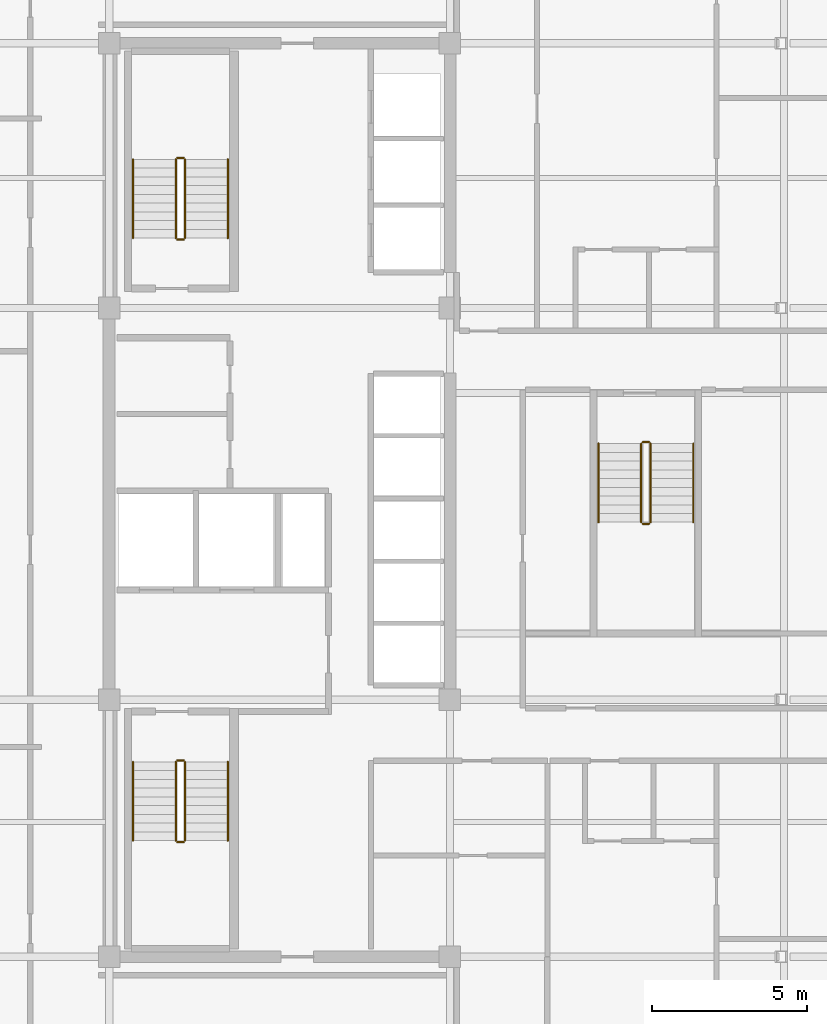
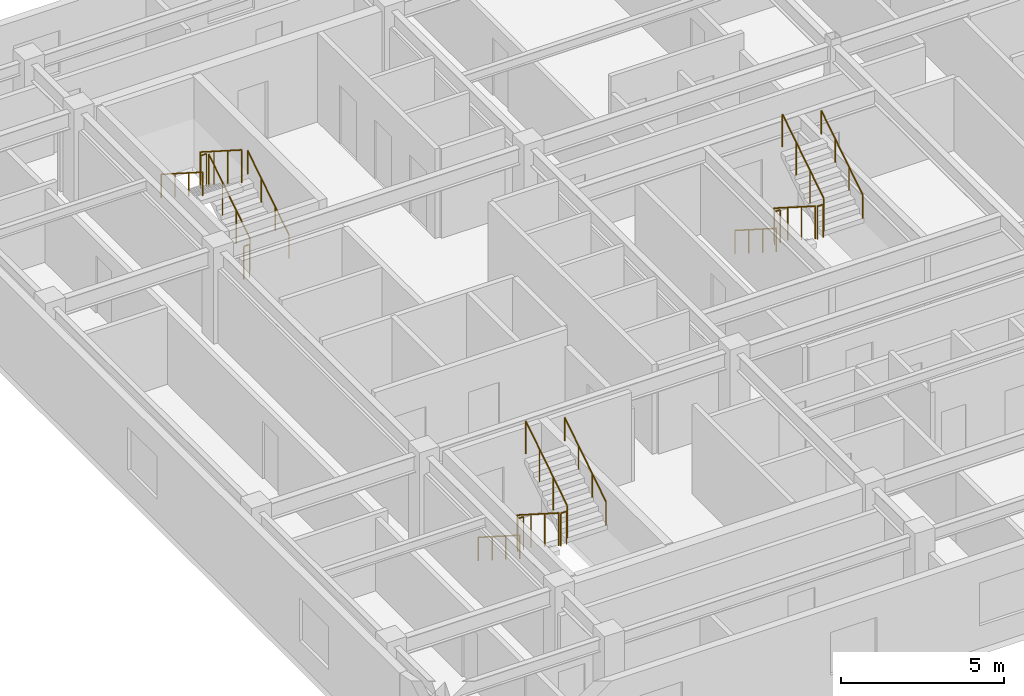
# One storey, part 9 of 9: 18 railings.
"""IFC4 building model written with IfcOpenShell, lengths in metres."""

from ifc_helpers import new_model, si_unit, direction, frame, origin, origin_2d, place, context, subcontext, project, spatial, circle, extrude, material, type_object, element, save


model = new_model("IFC4")

# Units and contexts
model_context = context("Model", 3, precision=1e-05, world=origin(), true_north=direction((0.0, 1.0)))
body_context = subcontext(model_context, "Body", "Model", "MODEL_VIEW")
ifc_project = project(units=[si_unit("LENGTHUNIT", "METRE"), si_unit("AREAUNIT", "SQUARE_METRE"), si_unit("VOLUMEUNIT", "CUBIC_METRE"), si_unit("PLANEANGLEUNIT", "RADIAN"), si_unit("MASSUNIT", "GRAM", prefix="KILO")], contexts=[model_context])

# Site, building, storey
site_placement = place(None, origin())
site = spatial("IfcSite", under=ifc_project, at=site_placement, CompositionType="ELEMENT")
building_placement = place(site_placement, origin())
building = spatial("IfcBuilding", under=site, at=building_placement, Name="Ochreholt Gables", CompositionType="ELEMENT")
storey_placement = place(building_placement, frame((0.0, 0.0, 169.800048828125)))
storey = spatial("IfcBuildingStorey", under=building, at=storey_placement, Name="L44", CompositionType="ELEMENT", Elevation=169.800048828125)

# Railings
ifc_material_1 = material(Name="Painted Steel Stair Guardrail", Category="steel")
railing_type_1 = type_object("IfcRailingType", Name="RL-ST-GUARD", PredefinedType="GUARDRAIL", material=ifc_material_1)
railing_1_placement = place(storey_placement, frame((26.35009765625, 15.5400390625, 0.179931640625)))
element("IfcRailing", 1, at=railing_1_placement, inside=storey, type_object=railing_type_1, Name="L44 ST-1 stair guard 1", PredefinedType="GUARDRAIL", context=body_context, shape_type="SweptSolid", body=[
    extrude(circle(Radius=0.02392578125, at=origin_2d()), frame((0.0, 0.0, 1.22607421875), z_axis=(0.0, -0.842912820907, 0.538050161556), x_axis=(1.0, 0.0, 0.0)), (0.0, 0.0, 1.0), 3.010986328125),
    extrude(circle(Radius=0.02099609375, at=origin_2d()), origin(), (0.0, 0.0, 1.0), 1.201904296875),
    extrude(circle(Radius=0.02099609375, at=origin_2d()), frame((0.0, -0.845947265625, 0.5400390625)), (0.0, 0.0, 1.0), 1.201904296875),
    extrude(circle(Radius=0.02099609375, at=origin_2d()), frame((0.0, -1.692138671875, 1.080078125)), (0.0, 0.0, 1.0), 1.201904296875),
    extrude(circle(Radius=0.02099609375, at=origin_2d()), frame((0.0, -2.5380859375, 1.6201171875)), (0.0, 0.0, 1.0), 1.201904296875),
])
railing_2_placement = place(storey_placement, frame((26.39990234375, 12.951904296875, 1.800048828125)))
element("IfcRailing", 2, at=railing_2_placement, inside=storey, type_object=railing_type_1, Name="L44 ST-1 stair guard 2", PredefinedType="GUARDRAIL", context=body_context, shape_type="SweptSolid", body=[
    extrude(circle(Radius=0.02392578125, at=origin_2d()), frame((0.0, 0.0, 1.22607421875), z_axis=(1.0, 0.0, 0.0), x_axis=(0.0, 1.0, 0.0)), (0.0, 0.0, 1.0), 0.2001953125),
    extrude(circle(Radius=0.02099609375, at=origin_2d()), origin(), (0.0, 0.0, 1.0), 1.201904296875),
    extrude(circle(Radius=0.02099609375, at=origin_2d()), frame((0.2001953125, 0.0, 0.0)), (0.0, 0.0, 1.0), 1.201904296875),
])
railing_3_placement = place(storey_placement, frame((26.64990234375, 13.001953125, 1.97998046875)))
element("IfcRailing", 3, at=railing_3_placement, inside=storey, type_object=railing_type_1, Name="L44 ST-1 stair guard 3", PredefinedType="GUARDRAIL", context=body_context, shape_type="SweptSolid", body=[
    extrude(circle(Radius=0.02392578125, at=origin_2d()), frame((0.0, 0.0, 1.22607421875), z_axis=(0.0, 0.842949592929, 0.537992549931), x_axis=(-1.0, 0.0, 0.0)), (0.0, 0.0, 1.0), 3.010986328125),
    extrude(circle(Radius=0.02099609375, at=origin_2d()), origin(), (0.0, 0.0, 1.0), 1.201904296875),
    extrude(circle(Radius=0.02099609375, at=origin_2d()), frame((0.0, 0.845947265625, 0.5400390625)), (0.0, 0.0, 1.0), 1.201904296875),
    extrude(circle(Radius=0.02099609375, at=origin_2d()), frame((0.0, 1.692138671875, 1.079833984375)), (0.0, 0.0, 1.0), 1.201904296875),
    extrude(circle(Radius=0.02099609375, at=origin_2d()), frame((0.0, 2.5380859375, 1.619873046875)), (0.0, 0.0, 1.0), 1.201904296875),
])
railing_4_placement = place(storey_placement, frame((26.39990234375, 15.590087890625, 0.0)))
element("IfcRailing", 4, at=railing_4_placement, inside=storey, type_object=railing_type_1, Name="L44 ST-1 stair guard 4", PredefinedType="GUARDRAIL", context=body_context, shape_type="SweptSolid", body=[
    extrude(circle(Radius=0.02392578125, at=origin_2d()), frame((0.0, 0.0, 1.22607421875), z_axis=(1.0, 0.0, 0.0), x_axis=(0.0, 1.0, 0.0)), (0.0, 0.0, 1.0), 0.2001953125),
    extrude(circle(Radius=0.02099609375, at=origin_2d()), origin(), (0.0, 0.0, 1.0), 1.201904296875),
    extrude(circle(Radius=0.02099609375, at=origin_2d()), frame((0.2001953125, 0.0, 0.0)), (0.0, 0.0, 1.0), 1.201904296875),
])
railing_5_placement = place(storey_placement, frame((26.64990234375, 32.4599609375, 0.179931640625)))
element("IfcRailing", 5, at=railing_5_placement, inside=storey, type_object=railing_type_1, Name="L44 ST-2 stair guard 1", PredefinedType="GUARDRAIL", context=body_context, shape_type="SweptSolid", body=[
    extrude(circle(Radius=0.02392578125, at=origin_2d()), frame((0.0, 0.0, 1.22607421875), z_axis=(0.0, 0.842912820907, 0.538050161556), x_axis=(-1.0, 0.0, 0.0)), (0.0, 0.0, 1.0), 3.010986328125),
    extrude(circle(Radius=0.02099609375, at=origin_2d()), origin(), (0.0, 0.0, 1.0), 1.201904296875),
    extrude(circle(Radius=0.02099609375, at=origin_2d()), frame((0.0, 0.845947265625, 0.5400390625)), (0.0, 0.0, 1.0), 1.201904296875),
    extrude(circle(Radius=0.02099609375, at=origin_2d()), frame((0.0, 1.692138671875, 1.080078125)), (0.0, 0.0, 1.0), 1.201904296875),
    extrude(circle(Radius=0.02099609375, at=origin_2d()), frame((0.0, 2.5380859375, 1.6201171875)), (0.0, 0.0, 1.0), 1.201904296875),
])
railing_6_placement = place(storey_placement, frame((26.60009765625, 35.048095703125, 1.800048828125)))
element("IfcRailing", 6, at=railing_6_placement, inside=storey, type_object=railing_type_1, Name="L44 ST-2 stair guard 2", PredefinedType="GUARDRAIL", context=body_context, shape_type="SweptSolid", body=[
    extrude(circle(Radius=0.02392578125, at=origin_2d()), frame((0.0, 0.0, 1.22607421875), z_axis=(-1.0, 0.0, 0.0), x_axis=(0.0, -1.0, 0.0)), (0.0, 0.0, 1.0), 0.2001953125),
    extrude(circle(Radius=0.02099609375, at=origin_2d()), origin(), (0.0, 0.0, 1.0), 1.201904296875),
    extrude(circle(Radius=0.02099609375, at=origin_2d()), frame((-0.2001953125, 0.0, 0.0)), (0.0, 0.0, 1.0), 1.201904296875),
])
railing_7_placement = place(storey_placement, frame((26.35009765625, 34.998046875, 1.97998046875)))
element("IfcRailing", 7, at=railing_7_placement, inside=storey, type_object=railing_type_1, Name="L44 ST-2 stair guard 3", PredefinedType="GUARDRAIL", context=body_context, shape_type="SweptSolid", body=[
    extrude(circle(Radius=0.02392578125, at=origin_2d()), frame((0.0, 0.0, 1.22607421875), z_axis=(0.0, -0.842949592929, 0.537992549931), x_axis=(1.0, 0.0, 0.0)), (0.0, 0.0, 1.0), 3.010986328125),
    extrude(circle(Radius=0.02099609375, at=origin_2d()), origin(), (0.0, 0.0, 1.0), 1.201904296875),
    extrude(circle(Radius=0.02099609375, at=origin_2d()), frame((0.0, -0.845947265625, 0.5400390625)), (0.0, 0.0, 1.0), 1.201904296875),
    extrude(circle(Radius=0.02099609375, at=origin_2d()), frame((0.0, -1.692138671875, 1.079833984375)), (0.0, 0.0, 1.0), 1.201904296875),
    extrude(circle(Radius=0.02099609375, at=origin_2d()), frame((0.0, -2.5380859375, 1.619873046875)), (0.0, 0.0, 1.0), 1.201904296875),
])
railing_8_placement = place(storey_placement, frame((26.60009765625, 32.409912109375, 0.0)))
element("IfcRailing", 8, at=railing_8_placement, inside=storey, type_object=railing_type_1, Name="L44 ST-2 stair guard 4", PredefinedType="GUARDRAIL", context=body_context, shape_type="SweptSolid", body=[
    extrude(circle(Radius=0.02392578125, at=origin_2d()), frame((0.0, 0.0, 1.22607421875), z_axis=(-1.0, 0.0, 0.0), x_axis=(0.0, -1.0, 0.0)), (0.0, 0.0, 1.0), 0.2001953125),
    extrude(circle(Radius=0.02099609375, at=origin_2d()), origin(), (0.0, 0.0, 1.0), 1.201904296875),
    extrude(circle(Radius=0.02099609375, at=origin_2d()), frame((-0.2001953125, 0.0, 0.0)), (0.0, 0.0, 1.0), 1.201904296875),
])
railing_9_placement = place(storey_placement, frame((41.3798828125, 25.820068359375, 0.179931640625)))
element("IfcRailing", 9, at=railing_9_placement, inside=storey, type_object=railing_type_1, Name="L44 ST-C4 stair guard 1", PredefinedType="GUARDRAIL", context=body_context, shape_type="SweptSolid", body=[
    extrude(circle(Radius=0.02392578125, at=origin_2d()), frame((0.0, 0.0, 1.22607421875), z_axis=(0.0, -0.842912820907, 0.538050161556), x_axis=(1.0, 0.0, 0.0)), (0.0, 0.0, 1.0), 3.010986328125),
    extrude(circle(Radius=0.02099609375, at=origin_2d()), origin(), (0.0, 0.0, 1.0), 1.201904296875),
    extrude(circle(Radius=0.02099609375, at=origin_2d()), frame((0.0, -0.845947265625, 0.5400390625)), (0.0, 0.0, 1.0), 1.201904296875),
    extrude(circle(Radius=0.02099609375, at=origin_2d()), frame((0.0, -1.692138671875, 1.080078125)), (0.0, 0.0, 1.0), 1.201904296875),
    extrude(circle(Radius=0.02099609375, at=origin_2d()), frame((0.0, -2.5380859375, 1.6201171875)), (0.0, 0.0, 1.0), 1.201904296875),
])
railing_10_placement = place(storey_placement, frame((41.429931640625, 23.23193359375, 1.800048828125)))
element("IfcRailing", 10, at=railing_10_placement, inside=storey, type_object=railing_type_1, Name="L44 ST-C4 stair guard 2", PredefinedType="GUARDRAIL", context=body_context, shape_type="SweptSolid", body=[
    extrude(circle(Radius=0.02392578125, at=origin_2d()), frame((0.0, 0.0, 1.22607421875), z_axis=(1.0, 0.0, 0.0), x_axis=(0.0, 1.0, 0.0)), (0.0, 0.0, 1.0), 0.199951171875),
    extrude(circle(Radius=0.02099609375, at=origin_2d()), origin(), (0.0, 0.0, 1.0), 1.201904296875),
    extrude(circle(Radius=0.02099609375, at=origin_2d()), frame((0.199951171875, 0.0, 0.0)), (0.0, 0.0, 1.0), 1.201904296875),
])
railing_11_placement = place(storey_placement, frame((41.679931640625, 23.281982421875, 1.97998046875)))
element("IfcRailing", 11, at=railing_11_placement, inside=storey, type_object=railing_type_1, Name="L44 ST-C4 stair guard 3", PredefinedType="GUARDRAIL", context=body_context, shape_type="SweptSolid", body=[
    extrude(circle(Radius=0.02392578125, at=origin_2d()), frame((0.0, 0.0, 1.22607421875), z_axis=(0.0, 0.842949592929, 0.537992549931), x_axis=(-1.0, 0.0, 0.0)), (0.0, 0.0, 1.0), 3.010986328125),
    extrude(circle(Radius=0.02099609375, at=origin_2d()), origin(), (0.0, 0.0, 1.0), 1.201904296875),
    extrude(circle(Radius=0.02099609375, at=origin_2d()), frame((0.0, 0.845947265625, 0.5400390625)), (0.0, 0.0, 1.0), 1.201904296875),
    extrude(circle(Radius=0.02099609375, at=origin_2d()), frame((0.0, 1.692138671875, 1.079833984375)), (0.0, 0.0, 1.0), 1.201904296875),
    extrude(circle(Radius=0.02099609375, at=origin_2d()), frame((0.0, 2.5380859375, 1.619873046875)), (0.0, 0.0, 1.0), 1.201904296875),
])
railing_12_placement = place(storey_placement, frame((41.429931640625, 25.8701171875, 0.0)))
element("IfcRailing", 12, at=railing_12_placement, inside=storey, type_object=railing_type_1, Name="L44 ST-C4 stair guard 4", PredefinedType="GUARDRAIL", context=body_context, shape_type="SweptSolid", body=[
    extrude(circle(Radius=0.02392578125, at=origin_2d()), frame((0.0, 0.0, 1.22607421875), z_axis=(1.0, 0.0, 0.0), x_axis=(0.0, 1.0, 0.0)), (0.0, 0.0, 1.0), 0.199951171875),
    extrude(circle(Radius=0.02099609375, at=origin_2d()), origin(), (0.0, 0.0, 1.0), 1.201904296875),
    extrude(circle(Radius=0.02099609375, at=origin_2d()), frame((0.199951171875, 0.0, 0.0)), (0.0, 0.0, 1.0), 1.201904296875),
])
ifc_material_2 = material(Name="Brushed Stainless Steel Wall Handrail", Category="steel")
railing_type_2 = type_object("IfcRailingType", Name="RL-ST-HAND", PredefinedType="HANDRAIL", material=ifc_material_2)
railing_13_placement = place(storey_placement, frame((24.969970703125, 15.5400390625, 0.179931640625)))
element("IfcRailing", 13, at=railing_13_placement, inside=storey, type_object=railing_type_2, Name="L44 ST-1 stair handrail 1", PredefinedType="HANDRAIL", context=body_context, shape_type="SweptSolid", body=[
    extrude(circle(Radius=0.02392578125, at=origin_2d()), frame((0.0, 0.0, 0.8759765625), z_axis=(0.0, -0.842912820907, 0.538050161556), x_axis=(1.0, 0.0, 0.0)), (0.0, 0.0, 1.0), 3.010986328125),
    extrude(circle(Radius=0.02099609375, at=origin_2d()), origin(), (0.0, 0.0, 1.0), 0.851806640625),
    extrude(circle(Radius=0.02099609375, at=origin_2d()), frame((0.0, -0.845947265625, 0.5400390625)), (0.0, 0.0, 1.0), 0.851806640625),
    extrude(circle(Radius=0.02099609375, at=origin_2d()), frame((0.0, -1.692138671875, 1.080078125)), (0.0, 0.0, 1.0), 0.851806640625),
    extrude(circle(Radius=0.02099609375, at=origin_2d()), frame((0.0, -2.5380859375, 1.6201171875)), (0.0, 0.0, 1.0), 0.851806640625),
])
railing_14_placement = place(storey_placement, frame((28.030029296875, 13.001953125, 1.97998046875)))
element("IfcRailing", 14, at=railing_14_placement, inside=storey, type_object=railing_type_2, Name="L44 ST-1 stair handrail 2", PredefinedType="HANDRAIL", context=body_context, shape_type="SweptSolid", body=[
    extrude(circle(Radius=0.02392578125, at=origin_2d()), frame((0.0, 0.0, 0.8759765625), z_axis=(0.0, 0.842949592929, 0.537992549931), x_axis=(-1.0, 0.0, 0.0)), (0.0, 0.0, 1.0), 3.010986328125),
    extrude(circle(Radius=0.02099609375, at=origin_2d()), origin(), (0.0, 0.0, 1.0), 0.851806640625),
    extrude(circle(Radius=0.02099609375, at=origin_2d()), frame((0.0, 0.845947265625, 0.5400390625)), (0.0, 0.0, 1.0), 0.851806640625),
    extrude(circle(Radius=0.02099609375, at=origin_2d()), frame((0.0, 1.692138671875, 1.079833984375)), (0.0, 0.0, 1.0), 0.851806640625),
    extrude(circle(Radius=0.02099609375, at=origin_2d()), frame((0.0, 2.5380859375, 1.619873046875)), (0.0, 0.0, 1.0), 0.851806640625),
])
railing_15_placement = place(storey_placement, frame((28.030029296875, 32.4599609375, 0.179931640625)))
element("IfcRailing", 15, at=railing_15_placement, inside=storey, type_object=railing_type_2, Name="L44 ST-2 stair handrail 1", PredefinedType="HANDRAIL", context=body_context, shape_type="SweptSolid", body=[
    extrude(circle(Radius=0.02392578125, at=origin_2d()), frame((0.0, 0.0, 0.8759765625), z_axis=(0.0, 0.842912820907, 0.538050161556), x_axis=(-1.0, 0.0, 0.0)), (0.0, 0.0, 1.0), 3.010986328125),
    extrude(circle(Radius=0.02099609375, at=origin_2d()), origin(), (0.0, 0.0, 1.0), 0.851806640625),
    extrude(circle(Radius=0.02099609375, at=origin_2d()), frame((0.0, 0.845947265625, 0.5400390625)), (0.0, 0.0, 1.0), 0.851806640625),
    extrude(circle(Radius=0.02099609375, at=origin_2d()), frame((0.0, 1.692138671875, 1.080078125)), (0.0, 0.0, 1.0), 0.851806640625),
    extrude(circle(Radius=0.02099609375, at=origin_2d()), frame((0.0, 2.5380859375, 1.6201171875)), (0.0, 0.0, 1.0), 0.851806640625),
])
railing_16_placement = place(storey_placement, frame((24.969970703125, 34.998046875, 1.97998046875)))
element("IfcRailing", 16, at=railing_16_placement, inside=storey, type_object=railing_type_2, Name="L44 ST-2 stair handrail 2", PredefinedType="HANDRAIL", context=body_context, shape_type="SweptSolid", body=[
    extrude(circle(Radius=0.02392578125, at=origin_2d()), frame((0.0, 0.0, 0.8759765625), z_axis=(0.0, -0.842949592929, 0.537992549931), x_axis=(1.0, 0.0, 0.0)), (0.0, 0.0, 1.0), 3.010986328125),
    extrude(circle(Radius=0.02099609375, at=origin_2d()), origin(), (0.0, 0.0, 1.0), 0.851806640625),
    extrude(circle(Radius=0.02099609375, at=origin_2d()), frame((0.0, -0.845947265625, 0.5400390625)), (0.0, 0.0, 1.0), 0.851806640625),
    extrude(circle(Radius=0.02099609375, at=origin_2d()), frame((0.0, -1.692138671875, 1.079833984375)), (0.0, 0.0, 1.0), 0.851806640625),
    extrude(circle(Radius=0.02099609375, at=origin_2d()), frame((0.0, -2.5380859375, 1.619873046875)), (0.0, 0.0, 1.0), 0.851806640625),
])
railing_17_placement = place(storey_placement, frame((40.0, 25.820068359375, 0.179931640625)))
element("IfcRailing", 17, at=railing_17_placement, inside=storey, type_object=railing_type_2, Name="L44 ST-C4 stair handrail 1", PredefinedType="HANDRAIL", context=body_context, shape_type="SweptSolid", body=[
    extrude(circle(Radius=0.02392578125, at=origin_2d()), frame((0.0, 0.0, 0.8759765625), z_axis=(0.0, -0.842912820907, 0.538050161556), x_axis=(1.0, 0.0, 0.0)), (0.0, 0.0, 1.0), 3.010986328125),
    extrude(circle(Radius=0.02099609375, at=origin_2d()), origin(), (0.0, 0.0, 1.0), 0.851806640625),
    extrude(circle(Radius=0.02099609375, at=origin_2d()), frame((0.0, -0.845947265625, 0.5400390625)), (0.0, 0.0, 1.0), 0.851806640625),
    extrude(circle(Radius=0.02099609375, at=origin_2d()), frame((0.0, -1.692138671875, 1.080078125)), (0.0, 0.0, 1.0), 0.851806640625),
    extrude(circle(Radius=0.02099609375, at=origin_2d()), frame((0.0, -2.5380859375, 1.6201171875)), (0.0, 0.0, 1.0), 0.851806640625),
])
railing_18_placement = place(storey_placement, frame((43.06005859375, 23.281982421875, 1.97998046875)))
element("IfcRailing", 18, at=railing_18_placement, inside=storey, type_object=railing_type_2, Name="L44 ST-C4 stair handrail 2", PredefinedType="HANDRAIL", context=body_context, shape_type="SweptSolid", body=[
    extrude(circle(Radius=0.02392578125, at=origin_2d()), frame((0.0, 0.0, 0.8759765625), z_axis=(0.0, 0.842949592929, 0.537992549931), x_axis=(-1.0, 0.0, 0.0)), (0.0, 0.0, 1.0), 3.010986328125),
    extrude(circle(Radius=0.02099609375, at=origin_2d()), origin(), (0.0, 0.0, 1.0), 0.851806640625),
    extrude(circle(Radius=0.02099609375, at=origin_2d()), frame((0.0, 0.845947265625, 0.5400390625)), (0.0, 0.0, 1.0), 0.851806640625),
    extrude(circle(Radius=0.02099609375, at=origin_2d()), frame((0.0, 1.692138671875, 1.079833984375)), (0.0, 0.0, 1.0), 0.851806640625),
    extrude(circle(Radius=0.02099609375, at=origin_2d()), frame((0.0, 2.5380859375, 1.619873046875)), (0.0, 0.0, 1.0), 0.851806640625),
])

save(model, "model.ifc")
